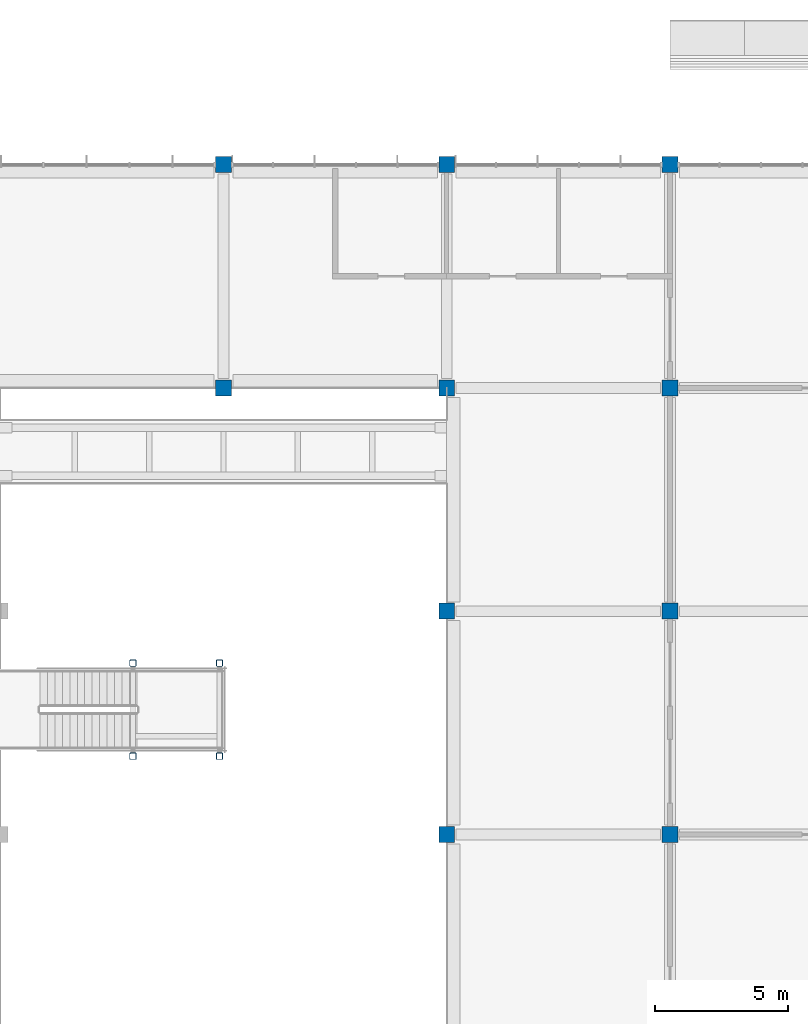
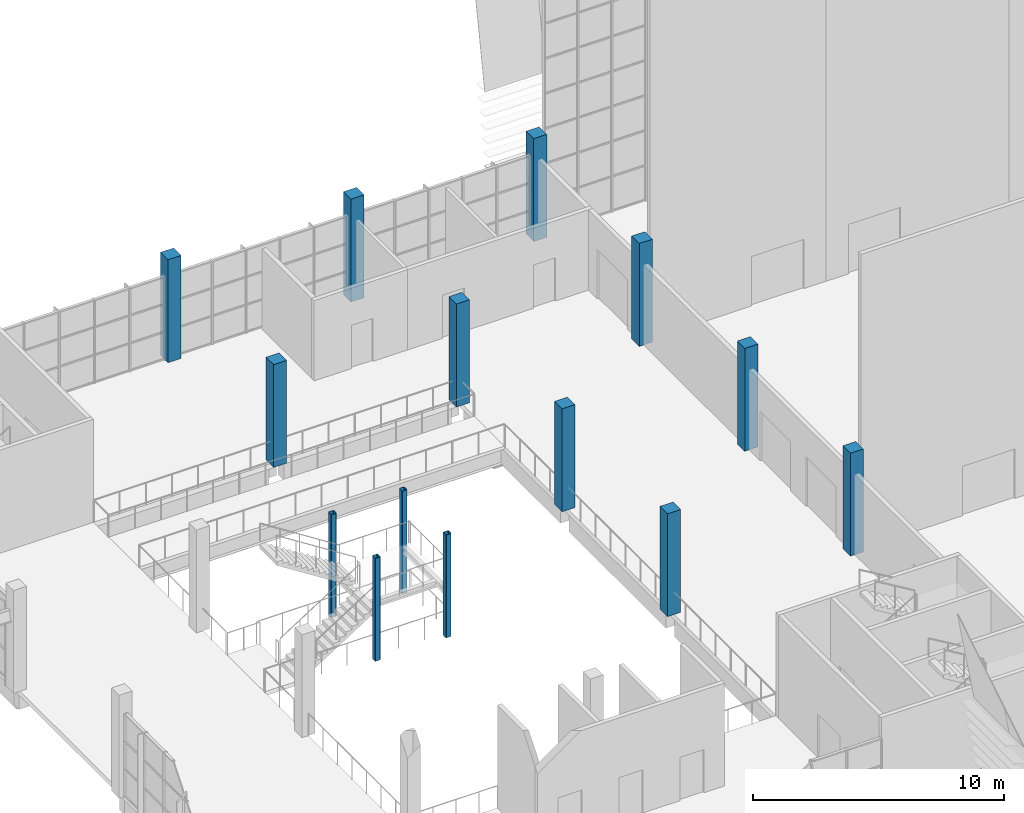
# One storey, part 2 of 59: 14 columns.
"""IFC4 building model written with IfcOpenShell, lengths in metres."""

from ifc_helpers import new_model, si_unit, direction, frame, origin, origin_2d, place, context, subcontext, project, spatial, rectangle, hollow_rectangle, extrude, material, material_profile, profile_set, type_object, element, save


model = new_model("IFC4")

# Units and contexts
model_context = context("Model", 3, precision=1e-05, world=origin(), true_north=direction((0.0, 1.0)))
body_context = subcontext(model_context, "Body", "Model", "MODEL_VIEW")
ifc_project = project(units=[si_unit("LENGTHUNIT", "METRE"), si_unit("AREAUNIT", "SQUARE_METRE"), si_unit("VOLUMEUNIT", "CUBIC_METRE"), si_unit("PLANEANGLEUNIT", "RADIAN"), si_unit("MASSUNIT", "GRAM", prefix="KILO")], contexts=[model_context])

# Site, building, storey
site_placement = place(None, origin())
site = spatial("IfcSite", under=ifc_project, at=site_placement, CompositionType="ELEMENT")
building_placement = place(site_placement, origin())
building = spatial("IfcBuilding", under=site, at=building_placement, Name="Almond Square Museum", CompositionType="ELEMENT")
storey_placement = place(building_placement, frame((0.0, 0.0, 25.0)))
storey = spatial("IfcBuildingStorey", under=building, at=storey_placement, Name="L04", CompositionType="ELEMENT", Elevation=25.0)

# Columns
ifc_material_1 = material(Name="Structural steel S355", Category="steel")
ifc_material_profile_1 = material_profile(ifc_material_1, hollow_rectangle(XDim=0.25, YDim=0.25, WallThickness=0.012451171875, InnerFilletRadius=0.02490234375, OuterFilletRadius=0.03759765625, at=origin_2d()))
ifc_profile_set_1 = profile_set([ifc_material_profile_1], Name="Structural steel S355")
column_type_1 = type_object("IfcColumnType", Name="Feature stair column SHS 250x250x12.5", PredefinedType="COLUMN", material=ifc_profile_set_1)
for number, where, z_axis, x_axis, name in (
    (1, (86.594970703125, 86.949951171875, 0.0), (0.0, 0.0, 1.0), (1.0, 0.0, 0.0), "L04 atrium feature stair support column"),
    (2, (86.594970703125, 90.449951171875, 0.0), (0.0, 0.0, 1.0), (1.0, 0.0, 0.0), "L04 atrium feature stair support column"),
    (3, (89.85009765625, 86.949951171875, 0.0), (0.0, 0.0, 1.0), (1.0, 0.0, 0.0), "L04 atrium feature stair support column"),
    (4, (89.85009765625, 90.449951171875, 0.0), (0.0, 0.0, 1.0), (1.0, 0.0, 0.0), "L04 atrium feature stair support column"),
):
    element("IfcColumn", number, at=place(storey_placement, frame(where, z_axis=z_axis, x_axis=x_axis)), inside=storey, type_object=column_type_1, Name=name, PredefinedType="COLUMN", context=body_context, shape_type="SweptSolid", body=[
        extrude(hollow_rectangle(XDim=0.25, YDim=0.25, WallThickness=0.012451171875, InnerFilletRadius=0.02490234375, OuterFilletRadius=0.03759765625, at=origin_2d()), origin(), (0.0, 0.0, 1.0), 5.0),
    ])
ifc_material_2 = material(Name="Concrete C40/50", Category="concrete")
ifc_material_profile_2 = material_profile(ifc_material_2, rectangle(XDim=0.60009765625, YDim=0.60009765625, at=origin_2d()))
ifc_profile_set_2 = profile_set([ifc_material_profile_2], Name="Concrete C40/50")
column_type_2 = type_object("IfcColumnType", Name="RC column 600 x 600 C40/50", PredefinedType="COLUMN", material=ifc_profile_set_2)
for number, where, z_axis, x_axis, name in (
    (5, (90.0, 100.800048828125, 0.0), (0.0, 0.0, 1.0), (1.0, 0.0, 0.0), "Column 12-M L04"),
    (6, (90.0, 109.199951171875, 0.0), (0.0, 0.0, 1.0), (1.0, 0.0, 0.0), "Column 12-N L04"),
    (7, (98.39990234375, 84.0, 0.0), (0.0, 0.0, 1.0), (1.0, 0.0, 0.0), "Column 13-K L04"),
    (8, (98.39990234375, 92.39990234375, 0.0), (0.0, 0.0, 1.0), (1.0, 0.0, 0.0), "Column 13-L L04"),
    (9, (98.39990234375, 100.800048828125, 0.0), (0.0, 0.0, 1.0), (1.0, 0.0, 0.0), "Column 13-M L04"),
    (10, (98.39990234375, 109.199951171875, 0.0), (0.0, 0.0, 1.0), (1.0, 0.0, 0.0), "Column 13-N L04"),
    (11, (106.800048828125, 84.0, 0.0), (0.0, 0.0, 1.0), (1.0, 0.0, 0.0), "Column 14-K L04"),
    (12, (106.800048828125, 92.39990234375, 0.0), (0.0, 0.0, 1.0), (1.0, 0.0, 0.0), "Column 14-L L04"),
    (13, (106.800048828125, 100.800048828125, 0.0), (0.0, 0.0, 1.0), (1.0, 0.0, 0.0), "Column 14-M L04"),
    (14, (106.800048828125, 109.199951171875, 0.0), (0.0, 0.0, 1.0), (1.0, 0.0, 0.0), "Column 14-N L04"),
):
    element("IfcColumn", number, at=place(storey_placement, frame(where, z_axis=z_axis, x_axis=x_axis)), inside=storey, type_object=column_type_2, Name=name, PredefinedType="COLUMN", context=body_context, shape_type="SweptSolid", body=[
        extrude(rectangle(XDim=0.60009765625, YDim=0.60009765625, at=origin_2d()), origin(), (0.0, 0.0, 1.0), 5.0),
    ])

save(model, "model.ifc")
